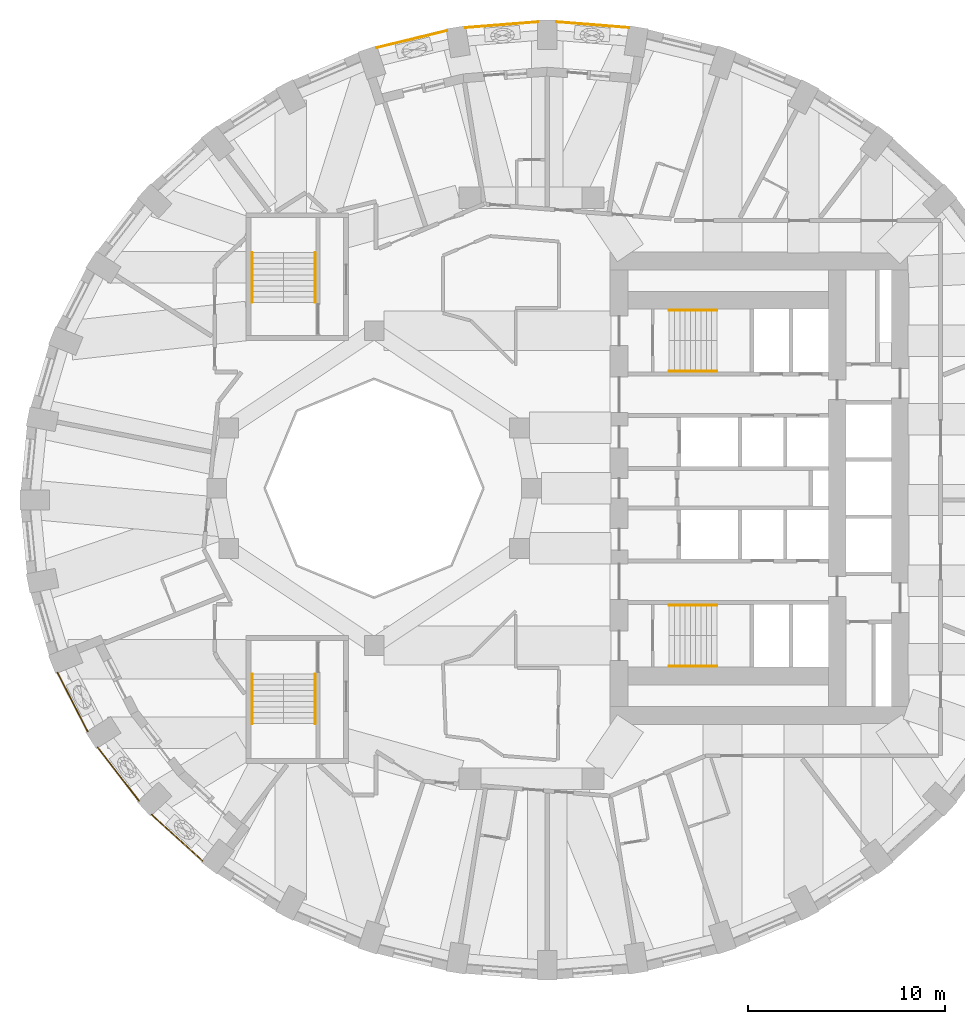
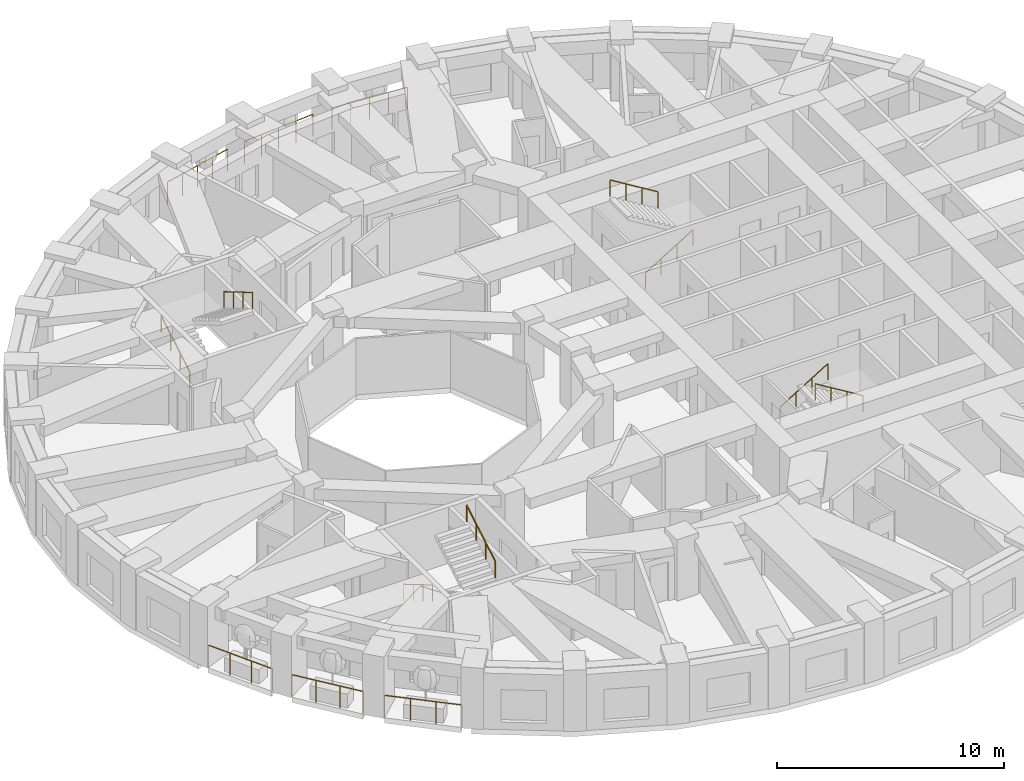
# One storey, part 10 of 12: 14 railings.
"""IFC4 building model written with IfcOpenShell, lengths in metres."""

from ifc_helpers import new_model, si_unit, direction, frame, origin, origin_2d, place, context, subcontext, project, spatial, circle, extrude, material, type_object, element, save


model = new_model("IFC4")

# Units and contexts
model_context = context("Model", 3, precision=1e-05, world=origin(), true_north=direction((0.0, 1.0)))
body_context = subcontext(model_context, "Body", "Model", "MODEL_VIEW")
ifc_project = project(units=[si_unit("LENGTHUNIT", "METRE"), si_unit("AREAUNIT", "SQUARE_METRE"), si_unit("VOLUMEUNIT", "CUBIC_METRE"), si_unit("PLANEANGLEUNIT", "RADIAN"), si_unit("MASSUNIT", "GRAM", prefix="KILO")], contexts=[model_context])

# Site, building, storey
site_placement = place(None, origin())
site = spatial("IfcSite", under=ifc_project, at=site_placement, CompositionType="ELEMENT")
building_placement = place(site_placement, origin())
building = spatial("IfcBuilding", under=site, at=building_placement, Name="Taillehof Tower", CompositionType="ELEMENT")
storey_placement = place(building_placement, frame((0.0, 0.0, 128.5)))
storey = spatial("IfcBuildingStorey", under=building, at=storey_placement, Name="L36", CompositionType="ELEMENT", Elevation=128.5)

# Railings
ifc_material_1 = material(Name="Stainless steel balustrade", Category="steel")
railing_type_1 = type_object("IfcRailingType", Name="Balcony guard 1200", PredefinedType="GUARDRAIL", material=ifc_material_1)
railing_1_placement = place(storey_placement, frame((4.952880859375, 23.409912109375, 0.0)))
element("IfcRailing", 1, at=railing_1_placement, inside=storey, type_object=railing_type_1, Name="Balcony guard L36 bay 9", PredefinedType="GUARDRAIL", context=body_context, shape_type="SweptSolid", body=[
    extrude(circle(Radius=0.02392578125, at=origin_2d()), frame((0.0, 0.0, 1.17578125), z_axis=(-0.996859998308, 0.07918423943, 0.0), x_axis=(-0.07918423943, -0.996859998308, 0.0)), (0.0, 0.0, 1.0), 3.684326171875),
    extrude(circle(Radius=0.02099609375, at=origin_2d()), origin(), (0.0, 0.0, 1.0), 1.15185546875),
    extrude(circle(Radius=0.02099609375, at=origin_2d()), frame((-0.918212890625, 0.072998046875, 0.0)), (0.0, 0.0, 1.0), 1.15185546875),
    extrude(circle(Radius=0.02099609375, at=origin_2d()), frame((-1.83642578125, 0.14599609375, 0.0)), (0.0, 0.0, 1.0), 1.15185546875),
    extrude(circle(Radius=0.02099609375, at=origin_2d()), frame((-2.754638671875, 0.21875, 0.0)), (0.0, 0.0, 1.0), 1.15185546875),
    extrude(circle(Radius=0.02099609375, at=origin_2d()), frame((-3.6728515625, 0.291748046875, 0.0)), (0.0, 0.0, 1.0), 1.15185546875),
])
railing_2_placement = place(storey_placement, frame((0.31982421875, 23.70166015625, 0.0)))
element("IfcRailing", 2, at=railing_2_placement, inside=storey, type_object=railing_type_1, Name="Balcony guard L36 bay 10", PredefinedType="GUARDRAIL", context=body_context, shape_type="SweptSolid", body=[
    extrude(circle(Radius=0.02392578125, at=origin_2d()), frame((0.0, 0.0, 1.17578125), z_axis=(-0.996859582788, -0.079189470281, 0.0), x_axis=(0.079189470281, -0.996859582788, 0.0)), (0.0, 0.0, 1.0), 3.68408203125),
    extrude(circle(Radius=0.02099609375, at=origin_2d()), origin(), (0.0, 0.0, 1.0), 1.15185546875),
    extrude(circle(Radius=0.02099609375, at=origin_2d()), frame((-0.918212890625, -0.072998046875, 0.0)), (0.0, 0.0, 1.0), 1.15185546875),
    extrude(circle(Radius=0.02099609375, at=origin_2d()), frame((-1.83642578125, -0.14599609375, 0.0)), (0.0, 0.0, 1.0), 1.15185546875),
    extrude(circle(Radius=0.02099609375, at=origin_2d()), frame((-2.75439453125, -0.21875, 0.0)), (0.0, 0.0, 1.0), 1.15185546875),
    extrude(circle(Radius=0.02099609375, at=origin_2d()), frame((-3.672607421875, -0.291748046875, 0.0)), (0.0, 0.0, 1.0), 1.15185546875),
])
railing_3_placement = place(storey_placement, frame((-4.30078125, 23.258056640625, 0.0)))
element("IfcRailing", 3, at=railing_3_placement, inside=storey, type_object=railing_type_1, Name="Balcony guard L36 bay 11", PredefinedType="GUARDRAIL", context=body_context, shape_type="SweptSolid", body=[
    extrude(circle(Radius=0.02392578125, at=origin_2d()), frame((0.0, 0.0, 1.17578125), z_axis=(-0.97164897724, -0.23642813925, 0.0), x_axis=(0.23642813925, -0.97164897724, 0.0)), (0.0, 0.0, 1.0), 3.66162109375),
    extrude(circle(Radius=0.02099609375, at=origin_2d()), origin(), (0.0, 0.0, 1.0), 1.15185546875),
    extrude(circle(Radius=0.02099609375, at=origin_2d()), frame((-0.889404296875, -0.21630859375, 0.0)), (0.0, 0.0, 1.0), 1.15185546875),
    extrude(circle(Radius=0.02099609375, at=origin_2d()), frame((-1.77880859375, -0.432861328125, 0.0)), (0.0, 0.0, 1.0), 1.15185546875),
    extrude(circle(Radius=0.02099609375, at=origin_2d()), frame((-2.66845703125, -0.6494140625, 0.0)), (0.0, 0.0, 1.0), 1.15185546875),
    extrude(circle(Radius=0.02099609375, at=origin_2d()), frame((-3.557861328125, -0.86572265625, 0.0)), (0.0, 0.0, 1.0), 1.15185546875),
])
railing_4_placement = place(storey_placement, frame((-24.09912109375, -9.373779296875, 0.0)))
element("IfcRailing", 4, at=railing_4_placement, inside=storey, type_object=railing_type_1, Name="Balcony guard L36 bay 21", PredefinedType="GUARDRAIL", context=body_context, shape_type="SweptSolid", body=[
    extrude(circle(Radius=0.02392578125, at=origin_2d()), frame((0.0, 0.0, 1.17578125), z_axis=(0.456827973353, -0.88955505887, 0.0), x_axis=(0.88955505887, 0.456827973353, 0.0)), (0.0, 0.0, 1.0), 3.363037109375),
    extrude(circle(Radius=0.02099609375, at=origin_2d()), origin(), (0.0, 0.0, 1.0), 1.15185546875),
    extrude(circle(Radius=0.02099609375, at=origin_2d()), frame((0.51220703125, -0.997314453125, 0.0)), (0.0, 0.0, 1.0), 1.15185546875),
    extrude(circle(Radius=0.02099609375, at=origin_2d()), frame((1.024169921875, -1.994384765625, 0.0)), (0.0, 0.0, 1.0), 1.15185546875),
    extrude(circle(Radius=0.02099609375, at=origin_2d()), frame((1.536376953125, -2.99169921875, 0.0)), (0.0, 0.0, 1.0), 1.15185546875),
])
railing_5_placement = place(storey_placement, frame((-22.048095703125, -13.17626953125, 0.0)))
element("IfcRailing", 5, at=railing_5_placement, inside=storey, type_object=railing_type_1, Name="Balcony guard L36 bay 22", PredefinedType="GUARDRAIL", context=body_context, shape_type="SweptSolid", body=[
    extrude(circle(Radius=0.02392578125, at=origin_2d()), frame((0.0, 0.0, 1.17578125), z_axis=(0.610692337077, -0.791867962122, 0.0), x_axis=(0.791867962122, 0.610692337077, 0.0)), (0.0, 0.0, 1.0), 3.424072265625),
    extrude(circle(Radius=0.02099609375, at=origin_2d()), origin(), (0.0, 0.0, 1.0), 1.15185546875),
    extrude(circle(Radius=0.02099609375, at=origin_2d()), frame((0.697021484375, -0.90380859375, 0.0)), (0.0, 0.0, 1.0), 1.15185546875),
    extrude(circle(Radius=0.02099609375, at=origin_2d()), frame((1.39404296875, -1.8076171875, 0.0)), (0.0, 0.0, 1.0), 1.15185546875),
    extrude(circle(Radius=0.02099609375, at=origin_2d()), frame((2.091064453125, -2.71142578125, 0.0)), (0.0, 0.0, 1.0), 1.15185546875),
])
railing_6_placement = place(storey_placement, frame((-19.305908203125, -16.593505859375, 0.0)))
element("IfcRailing", 6, at=railing_6_placement, inside=storey, type_object=railing_type_1, Name="Balcony guard L36 bay 23", PredefinedType="GUARDRAIL", context=body_context, shape_type="SweptSolid", body=[
    extrude(circle(Radius=0.02392578125, at=origin_2d()), frame((0.0, 0.0, 1.17578125), z_axis=(0.740395369755, -0.672171627225, 0.0), x_axis=(0.672171627225, 0.740395369755, 0.0)), (0.0, 0.0, 1.0), 3.49267578125),
    extrude(circle(Radius=0.02099609375, at=origin_2d()), origin(), (0.0, 0.0, 1.0), 1.15185546875),
    extrude(circle(Radius=0.02099609375, at=origin_2d()), frame((0.862060546875, -0.782470703125, 0.0)), (0.0, 0.0, 1.0), 1.15185546875),
    extrude(circle(Radius=0.02099609375, at=origin_2d()), frame((1.723876953125, -1.565185546875, 0.0)), (0.0, 0.0, 1.0), 1.15185546875),
    extrude(circle(Radius=0.02099609375, at=origin_2d()), frame((2.5859375, -2.34765625, 0.0)), (0.0, 0.0, 1.0), 1.15185546875),
])
ifc_material_2 = material(Name="Stainless steel", Category="steel")
railing_type_2 = type_object("IfcRailingType", Name="Stair handrail 900", PredefinedType="HANDRAIL", material=ifc_material_2)
railing_7_placement = place(storey_placement, frame((7.0, 5.949951171875, 0.1650390625)))
element("IfcRailing", 7, at=railing_7_placement, inside=storey, type_object=railing_type_2, Name="Stair S1 handrail", PredefinedType="HANDRAIL", context=body_context, shape_type="SweptSolid", body=[
    extrude(circle(Radius=0.02392578125, at=origin_2d()), frame((0.0, 0.0, 0.8759765625), z_axis=(0.853296667938, 0.0, 0.521425734392), x_axis=(0.0, 1.0, 0.0)), (0.0, 0.0, 1.0), 2.84765625),
    extrude(circle(Radius=0.02099609375, at=origin_2d()), origin(), (0.0, 0.0, 1.0), 0.851806640625),
    extrude(circle(Radius=0.02099609375, at=origin_2d()), frame((0.81005859375, 0.0, 0.494873046875)), (0.0, 0.0, 1.0), 0.851806640625),
    extrude(circle(Radius=0.02099609375, at=origin_2d()), frame((1.619873046875, 0.0, 0.989990234375)), (0.0, 0.0, 1.0), 0.851806640625),
    extrude(circle(Radius=0.02099609375, at=origin_2d()), frame((2.429931640625, 0.0, 1.48486328125)), (0.0, 0.0, 1.0), 0.851806640625),
])
railing_8_placement = place(storey_placement, frame((9.429931640625, 9.050048828125, 1.81494140625)))
element("IfcRailing", 8, at=railing_8_placement, inside=storey, type_object=railing_type_2, Name="Stair S1 handrail", PredefinedType="HANDRAIL", context=body_context, shape_type="SweptSolid", body=[
    extrude(circle(Radius=0.02392578125, at=origin_2d()), frame((0.0, 0.0, 0.8759765625), z_axis=(-0.853258522278, 0.0, 0.521488153423), x_axis=(0.0, -1.0, 0.0)), (0.0, 0.0, 1.0), 2.847900390625),
    extrude(circle(Radius=0.02099609375, at=origin_2d()), origin(), (0.0, 0.0, 1.0), 0.851806640625),
    extrude(circle(Radius=0.02099609375, at=origin_2d()), frame((-0.81005859375, 0.0, 0.4951171875)), (0.0, 0.0, 1.0), 0.851806640625),
    extrude(circle(Radius=0.02099609375, at=origin_2d()), frame((-1.619873046875, 0.0, 0.989990234375)), (0.0, 0.0, 1.0), 0.851806640625),
    extrude(circle(Radius=0.02099609375, at=origin_2d()), frame((-2.429931640625, 0.0, 1.485107421875)), (0.0, 0.0, 1.0), 0.851806640625),
])
railing_9_placement = place(storey_placement, frame((7.0, -5.949951171875, 0.1650390625)))
element("IfcRailing", 9, at=railing_9_placement, inside=storey, type_object=railing_type_2, Name="Stair S2 handrail", PredefinedType="HANDRAIL", context=body_context, shape_type="SweptSolid", body=[
    extrude(circle(Radius=0.02392578125, at=origin_2d()), frame((0.0, 0.0, 0.8759765625), z_axis=(0.853296667938, 0.0, 0.521425734392), x_axis=(0.0, 1.0, 0.0)), (0.0, 0.0, 1.0), 2.84765625),
    extrude(circle(Radius=0.02099609375, at=origin_2d()), origin(), (0.0, 0.0, 1.0), 0.851806640625),
    extrude(circle(Radius=0.02099609375, at=origin_2d()), frame((0.81005859375, 0.0, 0.494873046875)), (0.0, 0.0, 1.0), 0.851806640625),
    extrude(circle(Radius=0.02099609375, at=origin_2d()), frame((1.619873046875, 0.0, 0.989990234375)), (0.0, 0.0, 1.0), 0.851806640625),
    extrude(circle(Radius=0.02099609375, at=origin_2d()), frame((2.429931640625, 0.0, 1.48486328125)), (0.0, 0.0, 1.0), 0.851806640625),
])
railing_10_placement = place(storey_placement, frame((9.429931640625, -9.050048828125, 1.81494140625)))
element("IfcRailing", 10, at=railing_10_placement, inside=storey, type_object=railing_type_2, Name="Stair S2 handrail", PredefinedType="HANDRAIL", context=body_context, shape_type="SweptSolid", body=[
    extrude(circle(Radius=0.02392578125, at=origin_2d()), frame((0.0, 0.0, 0.8759765625), z_axis=(-0.853258522278, 0.0, 0.521488153423), x_axis=(0.0, -1.0, 0.0)), (0.0, 0.0, 1.0), 2.847900390625),
    extrude(circle(Radius=0.02099609375, at=origin_2d()), origin(), (0.0, 0.0, 1.0), 0.851806640625),
    extrude(circle(Radius=0.02099609375, at=origin_2d()), frame((-0.81005859375, 0.0, 0.4951171875)), (0.0, 0.0, 1.0), 0.851806640625),
    extrude(circle(Radius=0.02099609375, at=origin_2d()), frame((-1.619873046875, 0.0, 0.989990234375)), (0.0, 0.0, 1.0), 0.851806640625),
    extrude(circle(Radius=0.02099609375, at=origin_2d()), frame((-2.429931640625, 0.0, 1.485107421875)), (0.0, 0.0, 1.0), 0.851806640625),
])
railing_11_placement = place(storey_placement, frame((-14.199951171875, 9.449951171875, 0.1650390625)))
element("IfcRailing", 11, at=railing_11_placement, inside=storey, type_object=railing_type_2, Name="Stair S3 handrail", PredefinedType="HANDRAIL", context=body_context, shape_type="SweptSolid", body=[
    extrude(circle(Radius=0.02392578125, at=origin_2d()), frame((0.0, 0.0, 0.8759765625), z_axis=(0.0, 0.861560626758, 0.507654692109), x_axis=(-1.0, 0.0, 0.0)), (0.0, 0.0, 1.0), 2.925048828125),
    extrude(circle(Radius=0.02099609375, at=origin_2d()), origin(), (0.0, 0.0, 1.0), 0.851806640625),
    extrude(circle(Radius=0.02099609375, at=origin_2d()), frame((0.0, 0.840087890625, 0.494873046875)), (0.0, 0.0, 1.0), 0.851806640625),
    extrude(circle(Radius=0.02099609375, at=origin_2d()), frame((0.0, 1.679931640625, 0.989990234375)), (0.0, 0.0, 1.0), 0.851806640625),
    extrude(circle(Radius=0.02099609375, at=origin_2d()), frame((0.0, 2.52001953125, 1.48486328125)), (0.0, 0.0, 1.0), 0.851806640625),
])
railing_12_placement = place(storey_placement, frame((-11.0, 11.969970703125, 1.81494140625)))
element("IfcRailing", 12, at=railing_12_placement, inside=storey, type_object=railing_type_2, Name="Stair S3 handrail", PredefinedType="HANDRAIL", context=body_context, shape_type="SweptSolid", body=[
    extrude(circle(Radius=0.02392578125, at=origin_2d()), frame((0.0, 0.0, 0.8759765625), z_axis=(0.0, -0.86152411907, 0.507716645641), x_axis=(1.0, 0.0, 0.0)), (0.0, 0.0, 1.0), 2.925048828125),
    extrude(circle(Radius=0.02099609375, at=origin_2d()), origin(), (0.0, 0.0, 1.0), 0.851806640625),
    extrude(circle(Radius=0.02099609375, at=origin_2d()), frame((0.0, -0.840087890625, 0.4951171875)), (0.0, 0.0, 1.0), 0.851806640625),
    extrude(circle(Radius=0.02099609375, at=origin_2d()), frame((0.0, -1.679931640625, 0.989990234375)), (0.0, 0.0, 1.0), 0.851806640625),
    extrude(circle(Radius=0.02099609375, at=origin_2d()), frame((0.0, -2.52001953125, 1.485107421875)), (0.0, 0.0, 1.0), 0.851806640625),
])
railing_13_placement = place(storey_placement, frame((-14.199951171875, -9.449951171875, 0.1650390625)))
element("IfcRailing", 13, at=railing_13_placement, inside=storey, type_object=railing_type_2, Name="Stair S4 handrail", PredefinedType="HANDRAIL", context=body_context, shape_type="SweptSolid", body=[
    extrude(circle(Radius=0.02392578125, at=origin_2d()), frame((0.0, 0.0, 0.8759765625), z_axis=(0.0, -0.861560626758, 0.507654692109), x_axis=(1.0, 0.0, 0.0)), (0.0, 0.0, 1.0), 2.925048828125),
    extrude(circle(Radius=0.02099609375, at=origin_2d()), origin(), (0.0, 0.0, 1.0), 0.851806640625),
    extrude(circle(Radius=0.02099609375, at=origin_2d()), frame((0.0, -0.840087890625, 0.494873046875)), (0.0, 0.0, 1.0), 0.851806640625),
    extrude(circle(Radius=0.02099609375, at=origin_2d()), frame((0.0, -1.679931640625, 0.989990234375)), (0.0, 0.0, 1.0), 0.851806640625),
    extrude(circle(Radius=0.02099609375, at=origin_2d()), frame((0.0, -2.52001953125, 1.48486328125)), (0.0, 0.0, 1.0), 0.851806640625),
])
railing_14_placement = place(storey_placement, frame((-11.0, -11.969970703125, 1.81494140625)))
element("IfcRailing", 14, at=railing_14_placement, inside=storey, type_object=railing_type_2, Name="Stair S4 handrail", PredefinedType="HANDRAIL", context=body_context, shape_type="SweptSolid", body=[
    extrude(circle(Radius=0.02392578125, at=origin_2d()), frame((0.0, 0.0, 0.8759765625), z_axis=(0.0, 0.86152411907, 0.507716645641), x_axis=(-1.0, 0.0, 0.0)), (0.0, 0.0, 1.0), 2.925048828125),
    extrude(circle(Radius=0.02099609375, at=origin_2d()), origin(), (0.0, 0.0, 1.0), 0.851806640625),
    extrude(circle(Radius=0.02099609375, at=origin_2d()), frame((0.0, 0.840087890625, 0.4951171875)), (0.0, 0.0, 1.0), 0.851806640625),
    extrude(circle(Radius=0.02099609375, at=origin_2d()), frame((0.0, 1.679931640625, 0.989990234375)), (0.0, 0.0, 1.0), 0.851806640625),
    extrude(circle(Radius=0.02099609375, at=origin_2d()), frame((0.0, 2.52001953125, 1.485107421875)), (0.0, 0.0, 1.0), 0.851806640625),
])

save(model, "model.ifc")
